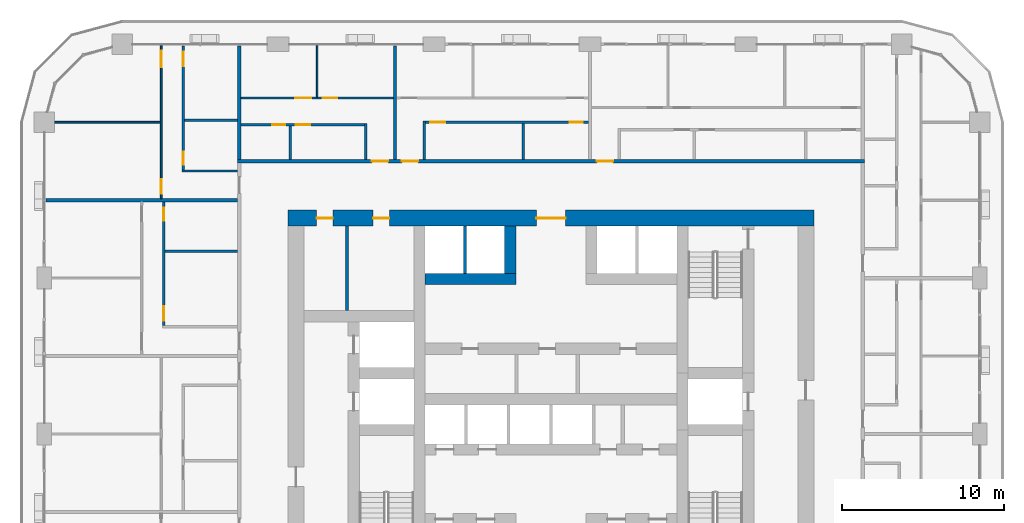
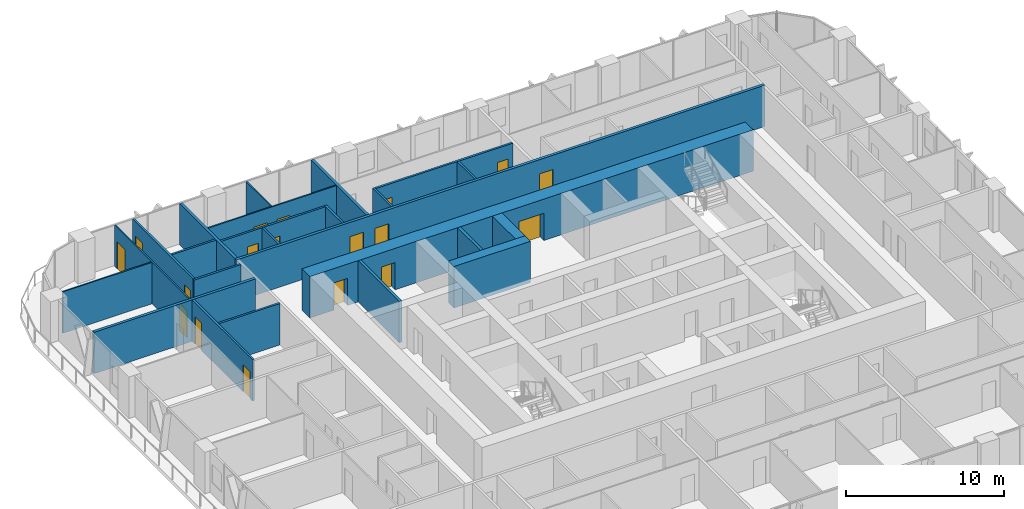
# One storey, part 13 of 21: 24 walls, 18 doors, 18 openings.
"""IFC4 building model written with IfcOpenShell, lengths in metres."""

import ifcopenshell
import ifcopenshell.guid

model = None  # the IFC model being written
_history = None  # IfcOwnerHistory: only IFC2X3 demands one
_inside = {}  # id of a spatial element -> (the spatial element, [elements in it])
_under = {}  # id of a project, library or spatial element -> (it, [spatial elements below it])
_declared = {}  # id of a project -> (the project, [libraries it declares])
_typed = {}  # id of a type object -> (the type object, [elements of that type])
_made_of = {}  # id of a material, layer set ... -> (it, [elements and type objects made of it])


def new_model(schema):
    """Start an empty IFC model of exactly this schema.

    Asked for "IFC4X3", IfcOpenShell would pick the latest addendum, in which some entities
    have other attributes; the version numbers below select the first issue.
    IFC2X3 requires an IfcOwnerHistory on every rooted entity: one is made here for all.
    """
    global model, _history
    if schema == "IFC4X3":
        model = ifcopenshell.file(schema_version=(4, 3, 0, 0))
    else:
        model = ifcopenshell.file(schema=schema)
    _inside.clear()
    _under.clear()
    _declared.clear()
    _typed.clear()
    _made_of.clear()
    _history = None
    if model.schema == "IFC2X3":
        org = make("IfcOrganization", Name="unknown")
        user = make(
            "IfcPersonAndOrganization",
            ThePerson=make("IfcPerson", FamilyName="unknown"),
            TheOrganization=org,
        )
        app = make(
            "IfcApplication",
            ApplicationDeveloper=org,
            Version="unknown",
            ApplicationFullName="unknown",
            ApplicationIdentifier="unknown",
        )
        _history = make(
            "IfcOwnerHistory",
            OwningUser=user,
            OwningApplication=app,
            ChangeAction="ADDED",
            CreationDate=0,
        )
    return model


def make(cls, **values):
    """One entity of the class cls with the attributes given. An attribute that is None is left unset."""
    return model.create_entity(
        cls, **{name: value for name, value in values.items() if value is not None}
    )


def rooted(cls, **values):
    """An entity with a GlobalId (a new one), such as an element, a storey or a relation."""
    return make(cls, GlobalId=ifcopenshell.guid.new(), OwnerHistory=_history, **values)


def si_unit(unit_type, name, prefix=None):
    """IfcSIUnit, for example si_unit("LENGTHUNIT", "METRE", prefix="MILLI")."""
    return make("IfcSIUnit", UnitType=unit_type, Prefix=prefix, Name=name)


def assignment(units):
    """IfcUnitAssignment: the units of a project."""
    return None if units is None else make("IfcUnitAssignment", Units=units)


def point(xyz):
    """IfcCartesianPoint."""
    return None if xyz is None else make("IfcCartesianPoint", Coordinates=xyz)


def direction(xyz):
    """IfcDirection."""
    return None if xyz is None else make("IfcDirection", DirectionRatios=xyz)


def frame(location, z_axis=None, x_axis=None):
    """IfcAxis2Placement3D, a coordinate frame: its origin and axes. An axis left out is left unset."""
    return make(
        "IfcAxis2Placement3D",
        Location=point(location),
        Axis=direction(z_axis),
        RefDirection=direction(x_axis),
    )


def frame_2d(location, x_axis=None):
    """IfcAxis2Placement2D, a coordinate frame in the plane: its origin and x axis."""
    return make(
        "IfcAxis2Placement2D", Location=point(location), RefDirection=direction(x_axis)
    )


def origin():
    """The frame at (0, 0, 0) with its axes left unset."""
    return frame((0.0, 0.0, 0.0))


def place(relative_to, where):
    """IfcLocalPlacement: puts the frame where relative to a parent placement (None: the world)."""
    return make(
        "IfcLocalPlacement", PlacementRelTo=relative_to, RelativePlacement=where
    )


def context(
    kind, dimensions, precision=None, world=None, true_north=None, identifier=None
):
    """IfcGeometricRepresentationContext, for example the 3D "Model" context."""
    return make(
        "IfcGeometricRepresentationContext",
        ContextIdentifier=identifier,
        ContextType=kind,
        CoordinateSpaceDimension=dimensions,
        Precision=precision,
        WorldCoordinateSystem=world,
        TrueNorth=true_north,
    )


def subcontext(parent, identifier, kind, view, scale=None):
    """IfcGeometricRepresentationSubContext, for example "Body" below "Model"."""
    return make(
        "IfcGeometricRepresentationSubContext",
        ContextIdentifier=identifier,
        ContextType=kind,
        ParentContext=parent,
        TargetScale=scale,
        TargetView=view,
    )


def project(units=None, contexts=None):
    """IfcProject with its units and contexts."""
    return rooted(
        "IfcProject",
        Name="project",
        RepresentationContexts=contexts,
        UnitsInContext=assignment(units),
    )


def spatial(cls, under=None, at=None, **own):
    """A site, building, storey or space (cls), placed at a placement, below another one or the project."""
    s = rooted(cls, ObjectPlacement=at, **own)
    if under is not None:
        _under.setdefault(under.id(), (under, []))[1].append(s)
    return s


def profile(cls, at=None, kind="AREA", **sizes):
    """A parametric profile (cls). Its sizes go by their IFC names, for example OverallWidth=200.0."""
    return make(cls, ProfileType=kind, Position=at, **sizes)


def rectangle(**sizes):
    """IfcRectangleProfileDef."""
    return profile("IfcRectangleProfileDef", **sizes)


def extrude(swept, where, along, depth):
    """IfcExtrudedAreaSolid: the profile swept, set in the frame where, extruded along a direction by depth."""
    return make(
        "IfcExtrudedAreaSolid",
        SweptArea=swept,
        Position=where,
        ExtrudedDirection=direction(along),
        Depth=depth,
    )


def shape(context_of_items, identifier, shape_type, items):
    """IfcShapeRepresentation: the items that make up one representation, for example the "Body"."""
    return make(
        "IfcShapeRepresentation",
        ContextOfItems=context_of_items,
        RepresentationIdentifier=identifier,
        RepresentationType=shape_type,
        Items=items,
    )


def material(Name=None, Category=None):
    """IfcMaterial."""
    return make("IfcMaterial", Name=Name, Category=Category)


def layer(
    of_material, thickness, ventilated=None, Name=None, Category=None, Priority=None
):
    """IfcMaterialLayer: one layer of a wall or slab, of a material (None: an air gap)."""
    return make(
        "IfcMaterialLayer",
        Material=of_material,
        LayerThickness=thickness,
        IsVentilated=ventilated,
        Name=Name,
        Category=Category,
        Priority=Priority,
    )


def layer_set(layers, Name=None):
    """IfcMaterialLayerSet."""
    return make("IfcMaterialLayerSet", MaterialLayers=layers, LayerSetName=Name)


def made_of(thing, what):
    """Note that an element or type object is made of a material, layer set ...; save() writes the relation."""
    if what is not None:
        _made_of.setdefault(what.id(), (what, []))[1].append(thing)
    return thing


def type_object(cls, material=None, **own):
    """A type object (cls), such as IfcWallType, which elements share."""
    return made_of(rooted(cls, **own), material)


def element(
    cls,
    number,
    at=None,
    inside=None,
    cuts=None,
    type_object=None,
    material=None,
    context=None,
    identifier="Body",
    shape_type=None,
    held_by="IfcProductDefinitionShape",
    body=None,
    shapes=None,
    **own,
):
    """One element of the class cls, such as IfcWall. Its Tag is "e" and its number.

    at: its placement. inside: the storey or other place that contains it. cuts: it is an
    opening in that element (IfcRelVoidsElement). A single representation is given by context,
    identifier, shape_type and body (its items); several are given by shapes. held_by: the class
    of the entity that holds the representations. save() writes the other relations.
    """
    e = rooted(cls, Tag="e%d" % number, ObjectPlacement=at, **own)
    if body is not None:
        shapes = [shape(context, identifier, shape_type, body)]
    if shapes is not None:
        e.Representation = make(held_by, Representations=shapes)
    if inside is not None:
        _inside.setdefault(inside.id(), (inside, []))[1].append(e)
    if cuts is not None:
        rooted(
            "IfcRelVoidsElement", RelatingBuildingElement=cuts, RelatedOpeningElement=e
        )
    if type_object is not None:
        _typed.setdefault(type_object.id(), (type_object, []))[1].append(e)
    return made_of(e, material)


def fill(opening, filler):
    """IfcRelFillsElement: the door or window that sits in an opening."""
    return rooted(
        "IfcRelFillsElement",
        RelatingOpeningElement=opening,
        RelatedBuildingElement=filler,
    )


def aggregate(whole, parts):
    """IfcRelAggregates: a whole, such as a stair, and the parts it consists of."""
    return rooted("IfcRelAggregates", RelatingObject=whole, RelatedObjects=parts)


def save(model, path):
    """Write the relations noted so far, then the file.

    IfcRelAggregates (storeys below a building ...), IfcRelContainedInSpatialStructure (elements
    in a storey), IfcRelDefinesByType, IfcRelAssociatesMaterial and IfcRelDeclares: one each for
    every whole, place, type object, material and project.
    """
    for whole, parts in _under.values():
        aggregate(whole, parts)
    for where, things in _inside.values():
        rooted(
            "IfcRelContainedInSpatialStructure",
            RelatedElements=things,
            RelatingStructure=where,
        )
    for kind, things in _typed.values():
        rooted("IfcRelDefinesByType", RelatedObjects=things, RelatingType=kind)
    for what, things in _made_of.values():
        rooted("IfcRelAssociatesMaterial", RelatedObjects=things, RelatingMaterial=what)
    for by, libraries in _declared.values():
        rooted("IfcRelDeclares", RelatingContext=by, RelatedDefinitions=libraries)
    model.write(path)


model = new_model("IFC4")

# Units and contexts
model_context = context("Model", 3, precision=1e-05, world=origin(), true_north=direction((0.0, 1.0)))
body_context = subcontext(model_context, "Body", "Model", "MODEL_VIEW")
ifc_project = project(units=[si_unit("LENGTHUNIT", "METRE"), si_unit("AREAUNIT", "SQUARE_METRE"), si_unit("VOLUMEUNIT", "CUBIC_METRE"), si_unit("PLANEANGLEUNIT", "RADIAN"), si_unit("MASSUNIT", "GRAM", prefix="KILO")], contexts=[model_context])

# Site, building, storey
site_placement = place(None, origin())
site = spatial("IfcSite", under=ifc_project, at=site_placement, CompositionType="ELEMENT")
building_placement = place(site_placement, origin())
building = spatial("IfcBuilding", under=site, at=building_placement, Name="Madar Terraces", CompositionType="ELEMENT")
storey_placement = place(building_placement, frame((0.0, 0.0, 43.39990234375)))
storey = spatial("IfcBuildingStorey", under=building, at=storey_placement, Name="L10", CompositionType="ELEMENT", Elevation=43.39990234375)

# Walls
ifc_material_1 = material(Name="Concrete C80/95", Category="concrete")
ifc_layer_1 = layer(ifc_material_1, 0.699951171875)
ifc_layer_set_1 = layer_set([ifc_layer_1], Name="Concrete C80/95 (CIW1 RC wall 700)")
wall_type_1 = type_object("IfcWallType", Name="CIW1 RC wall 700", PredefinedType="SHEAR", material=ifc_layer_set_1)
wall_1_placement = place(storey_placement, frame((23.449951171875, 33.550048828125, 0.0), z_axis=(0.0, 0.0, 1.0), x_axis=(1.0, 0.0, 0.0)))
element("IfcWall", 1, at=wall_1_placement, inside=storey, type_object=wall_type_1, Name="CORE SHAFT WALL", PredefinedType="SHEAR", context=body_context, shape_type="SweptSolid", body=[
    extrude(rectangle(XDim=5.60009765625, YDim=0.699951171875, at=frame_2d((2.800048828125, 0.0))), origin(), (0.0, 0.0, 1.0), 3.2001953125),
])
wall_2_placement = place(storey_placement, frame((28.699951171875, 33.89990234375, 0.0), z_axis=(0.0, 0.0, 1.0), x_axis=(0.0, 1.0, 0.0)))
element("IfcWall", 2, at=wall_2_placement, inside=storey, type_object=wall_type_1, Name="CORE SHAFT WALL", PredefinedType="SHEAR", context=body_context, shape_type="SweptSolid", body=[
    extrude(rectangle(XDim=2.900146484375, YDim=0.699951171875, at=frame_2d((1.4501953125, 0.0))), origin(), (0.0, 0.0, 1.0), 3.2001953125),
])

# Wall, openings, doors
ifc_material_2 = material(Name="Concrete C80/95", Category="concrete")
ifc_layer_2 = layer(ifc_material_2, 1.0)
ifc_layer_set_2 = layer_set([ifc_layer_2], Name="Concrete C80/95 (CRW1 RC wall 1000)")
wall_type_2 = type_object("IfcWallType", Name="CRW1 RC wall 1000", PredefinedType="SHEAR", material=ifc_layer_set_2)
wall_3_placement = place(storey_placement, frame((15.0, 37.300048828125, 0.0), z_axis=(0.0, 0.0, 1.0), x_axis=(1.0, 0.0, 0.0)))
wall_3 = element("IfcWall", 3, at=wall_3_placement, inside=storey, type_object=wall_type_2, Name="CORE OUTER WALL", PredefinedType="SHEAR", context=body_context, shape_type="SweptSolid", body=[
    extrude(rectangle(XDim=32.39990234375, YDim=1.0, at=frame_2d((16.199951171875, 0.0))), origin(), (0.0, 0.0, 1.0), 3.2001953125),
])
opening_1_placement = place(wall_3_placement, frame((15.300048828125, 0.0, 0.0)))
opening_1 = element("IfcOpeningElement", 4, at=opening_1_placement, cuts=wall_3, Name="Opening KD1", PredefinedType="OPENING", context=body_context, shape_type="SweptSolid", body=[
    extrude(rectangle(XDim=1.800048828125, YDim=2.10009765625, at=frame_2d((0.89990234375, 1.050048828125))), frame((0.0, 0.510009765625, 0.0), z_axis=(0.0, -1.0, 0.0), x_axis=(1.0, 0.0, 0.0)), (0.0, 0.0, 1.0), 1.02001953125),
])
opening_2_placement = place(wall_3_placement, frame((1.766357421875, 0.0, 0.0)))
opening_2 = element("IfcOpeningElement", 5, at=opening_2_placement, cuts=wall_3, Name="Opening KD2", PredefinedType="OPENING", context=body_context, shape_type="SweptSolid", body=[
    extrude(rectangle(XDim=1.0, YDim=2.10009765625, at=frame_2d((0.5, 1.050048828125))), frame((0.0, 0.510009765625, 0.0), z_axis=(0.0, -1.0, 0.0), x_axis=(1.0, 0.0, 0.0)), (0.0, 0.0, 1.0), 1.02001953125),
])
opening_3_placement = place(wall_3_placement, frame((5.2412109375, 0.0, 0.0)))
opening_3 = element("IfcOpeningElement", 6, at=opening_3_placement, cuts=wall_3, Name="Opening KD2", PredefinedType="OPENING", context=body_context, shape_type="SweptSolid", body=[
    extrude(rectangle(XDim=1.0, YDim=2.10009765625, at=frame_2d((0.5, 1.050048828125))), frame((0.0, 0.510009765625, 0.0), z_axis=(0.0, -1.0, 0.0), x_axis=(1.0, 0.0, 0.0)), (0.0, 0.0, 1.0), 1.02001953125),
])
ifc_material_3 = material(Name="Steel door leaf", Category="steel")
door_type_1 = type_object("IfcDoorType", Name="Lobby door pair 1800 x 2100", OperationType="DOUBLE_DOOR_SINGLE_SWING", PredefinedType="DOOR", material=ifc_material_3)
door_1_placement = place(opening_1_placement, origin())
door_1 = element("IfcDoor", 7, at=door_1_placement, inside=storey, type_object=door_type_1, Name="LIFT LOBBY DOOR", OperationType="DOUBLE_DOOR_SINGLE_SWING", OverallHeight=2.10009765625, OverallWidth=1.800048828125, PredefinedType="DOOR", context=body_context, shape_type="SweptSolid", body=[
    extrude(rectangle(XDim=1.800048828125, YDim=2.10009765625, at=frame_2d((0.89990234375, 1.050048828125))), frame((0.0, 0.02490234375, 0.0), z_axis=(0.0, -1.0, 0.0), x_axis=(1.0, 0.0, 0.0)), (0.0, 0.0, 1.0), 0.050048828125),
])
fill(opening_1, door_1)
ifc_material_4 = material(Name="Steel door leaf", Category="steel")
door_type_2 = type_object("IfcDoorType", Name="Service room door 1000 x 2100", OperationType="NOTDEFINED", PredefinedType="DOOR", material=ifc_material_4)
door_2_placement = place(opening_2_placement, origin())
door_2 = element("IfcDoor", 8, at=door_2_placement, inside=storey, type_object=door_type_2, Name="SERVICE ROOM DOOR", OperationType="SINGLE_SWING_LEFT", OverallHeight=2.10009765625, OverallWidth=1.0, PredefinedType="DOOR", context=body_context, shape_type="SweptSolid", body=[
    extrude(rectangle(XDim=1.0, YDim=2.10009765625, at=frame_2d((0.5, 1.050048828125))), frame((0.0, 0.02490234375, 0.0), z_axis=(0.0, -1.0, 0.0), x_axis=(1.0, 0.0, 0.0)), (0.0, 0.0, 1.0), 0.050048828125),
])
fill(opening_2, door_2)
door_3_placement = place(opening_3_placement, origin())
door_3 = element("IfcDoor", 9, at=door_3_placement, inside=storey, type_object=door_type_2, Name="SERVICE ROOM DOOR", OperationType="SINGLE_SWING_RIGHT", OverallHeight=2.10009765625, OverallWidth=1.0, PredefinedType="DOOR", context=body_context, shape_type="SweptSolid", body=[
    extrude(rectangle(XDim=1.0, YDim=2.10009765625, at=frame_2d((0.5, 1.050048828125))), frame((0.0, 0.02490234375, 0.0), z_axis=(0.0, -1.0, 0.0), x_axis=(1.0, 0.0, 0.0)), (0.0, 0.0, 1.0), 0.050048828125),
])
fill(opening_3, door_3)

# Walls
ifc_material_5 = material(Name="Masonry blockwork", Category="masonry")
ifc_layer_3 = layer(ifc_material_5, 0.199951171875)
ifc_layer_set_3 = layer_set([ifc_layer_3], Name="Core partition 200 blockwork")
wall_type_3 = type_object("IfcWallType", Name="Core partition 200 blockwork", PredefinedType="PARTITIONING", material=ifc_layer_set_3)
wall_4_placement = place(storey_placement, frame((18.632568359375, 31.60009765625, 0.0), z_axis=(0.0, 0.0, 1.0), x_axis=(0.0, 1.0, 0.0)))
element("IfcWall", 10, at=wall_4_placement, inside=storey, type_object=wall_type_3, Name="SERVICE ROOM PARTITION", PredefinedType="PARTITIONING", context=body_context, shape_type="SweptSolid", body=[
    extrude(rectangle(XDim=5.199951171875, YDim=0.199951171875, at=frame_2d((2.60009765625, 0.0))), origin(), (0.0, 0.0, 1.0), 3.2001953125),
])
ifc_material_6 = material(Name="Concrete C40/50", Category="concrete")
ifc_layer_4 = layer(ifc_material_6, 0.199951171875)
ifc_layer_set_4 = layer_set([ifc_layer_4], Name="Core shaft dividing wall 200 C40/50")
wall_type_4 = type_object("IfcWallType", Name="Core shaft dividing wall 200 C40/50", PredefinedType="SOLIDWALL", material=ifc_layer_set_4)
wall_5_placement = place(storey_placement, frame((25.89990234375, 33.89990234375, 0.0), z_axis=(0.0, 0.0, 1.0), x_axis=(0.0, 1.0, 0.0)))
element("IfcWall", 11, at=wall_5_placement, inside=storey, type_object=wall_type_4, Name="SHAFT DIVIDING WALL", PredefinedType="SOLIDWALL", context=body_context, shape_type="SweptSolid", body=[
    extrude(rectangle(XDim=2.900146484375, YDim=0.199951171875, at=frame_2d((1.4501953125, 0.0))), origin(), (0.0, 0.0, 1.0), 3.2001953125),
])
ifc_material_7 = material(Name="Gypsum board on steel studs", Category="steel")
ifc_layer_5 = layer(ifc_material_7, 0.10009765625)
ifc_layer_set_5 = layer_set([ifc_layer_5], Name="Flat partition 100")
wall_type_5 = type_object("IfcWallType", Name="Flat partition 100", PredefinedType="PARTITIONING", material=ifc_layer_set_5)
wall_6_placement = place(storey_placement, frame((16.800048828125, 44.75, 0.0), z_axis=(0.0, 0.0, 1.0), x_axis=(0.0, 1.0, 0.0)))
element("IfcWall", 12, at=wall_6_placement, inside=storey, type_object=wall_type_5, Name="Flat partition 100", PredefinedType="PARTITIONING", context=body_context, shape_type="SweptSolid", body=[
    extrude(rectangle(XDim=3.14990234375, YDim=0.10009765625, at=frame_2d((1.574951171875, 0.0))), origin(), (0.0, 0.0, 1.0), 3.2001953125),
])

# Wall, openings, doors
wall_7_placement = place(storey_placement, frame((12.10009765625, 44.699951171875, 0.0), z_axis=(0.0, 0.0, 1.0), x_axis=(1.0, 0.0, 0.0)))
wall_7 = element("IfcWall", 13, at=wall_7_placement, inside=storey, type_object=wall_type_5, Name="Flat partition 100", PredefinedType="PARTITIONING", context=body_context, shape_type="SweptSolid", body=[
    extrude(rectangle(XDim=9.39990234375, YDim=0.10009765625, at=frame_2d((4.699951171875, 0.0))), origin(), (0.0, 0.0, 1.0), 3.2001953125),
])
opening_4_placement = place(wall_7_placement, frame((5.050048828125, 0.0, 0.0)))
opening_4 = element("IfcOpeningElement", 14, at=opening_4_placement, cuts=wall_7, Name="Opening D2", PredefinedType="OPENING", context=body_context, shape_type="SweptSolid", body=[
    extrude(rectangle(XDim=0.89990234375, YDim=2.10009765625, at=frame_2d((0.449951171875, 1.050048828125))), frame((0.0, 0.06005859375, 0.0), z_axis=(0.0, -1.0, 0.0), x_axis=(1.0, 0.0, 0.0)), (0.0, 0.0, 1.0), 0.1201171875),
])
opening_5_placement = place(wall_7_placement, frame((3.35009765625, 0.0, 0.0)))
opening_5 = element("IfcOpeningElement", 15, at=opening_5_placement, cuts=wall_7, Name="Opening D3", PredefinedType="OPENING", context=body_context, shape_type="SweptSolid", body=[
    extrude(rectangle(XDim=1.0, YDim=2.10009765625, at=frame_2d((0.5, 1.050048828125))), frame((0.0, 0.06005859375, 0.0), z_axis=(0.0, -1.0, 0.0), x_axis=(1.0, 0.0, 0.0)), (0.0, 0.0, 1.0), 0.1201171875),
])
ifc_material_8 = material(Name="Timber door leaf", Category="wood")
door_type_3 = type_object("IfcDoorType", Name="Flat living room door 1000", OperationType="NOTDEFINED", PredefinedType="DOOR", material=ifc_material_8)
door_4_placement = place(opening_5_placement, origin())
door_4 = element("IfcDoor", 16, at=door_4_placement, inside=storey, type_object=door_type_3, Name="Flat living room door 1000", OperationType="SINGLE_SWING_RIGHT", OverallHeight=2.10009765625, OverallWidth=1.0, PredefinedType="DOOR", context=body_context, shape_type="SweptSolid", body=[
    extrude(rectangle(XDim=1.0, YDim=2.10009765625, at=frame_2d((0.5, 1.050048828125))), frame((0.0, 0.02490234375, 0.0), z_axis=(0.0, -1.0, 0.0), x_axis=(1.0, 0.0, 0.0)), (0.0, 0.0, 1.0), 0.050048828125),
])
fill(opening_5, door_4)
ifc_material_9 = material(Name="Timber door leaf", Category="wood")
door_type_4 = type_object("IfcDoorType", Name="Flat room door 900", OperationType="NOTDEFINED", PredefinedType="DOOR", material=ifc_material_9)
door_5_placement = place(opening_4_placement, origin())
door_5 = element("IfcDoor", 17, at=door_5_placement, inside=storey, type_object=door_type_4, Name="Flat room door 900", OperationType="SINGLE_SWING_LEFT", OverallHeight=2.10009765625, OverallWidth=0.89990234375, PredefinedType="DOOR", context=body_context, shape_type="SweptSolid", body=[
    extrude(rectangle(XDim=0.89990234375, YDim=2.10009765625, at=frame_2d((0.449951171875, 1.050048828125))), frame((0.0, 0.02490234375, 0.0), z_axis=(0.0, -1.0, 0.0), x_axis=(1.0, 0.0, 0.0)), (0.0, 0.0, 1.0), 0.050048828125),
])
fill(opening_4, door_5)

# Wall
wall_8_placement = place(storey_placement, frame((7.14990234375, 43.199951171875, 0.0), z_axis=(0.0, 0.0, 1.0), x_axis=(-1.0, 0.0, 0.0)))
element("IfcWall", 18, at=wall_8_placement, inside=storey, type_object=wall_type_5, Name="Flat partition 100", PredefinedType="PARTITIONING", context=body_context, shape_type="SweptSolid", body=[
    extrude(rectangle(XDim=6.52490234375, YDim=0.10009765625, at=frame_2d((3.262451171875, 0.0))), origin(), (0.0, 0.0, 1.0), 3.2001953125),
])

# Wall, openings, doors
wall_9_placement = place(storey_placement, frame((7.199951171875, 38.5, 0.0), z_axis=(0.0, 0.0, 1.0), x_axis=(0.0, 1.0, 0.0)))
wall_9 = element("IfcWall", 19, at=wall_9_placement, inside=storey, type_object=wall_type_5, Name="Flat partition 100", PredefinedType="PARTITIONING", context=body_context, shape_type="SweptSolid", body=[
    extrude(rectangle(XDim=9.39990234375, YDim=0.10009765625, at=frame_2d((4.699951171875, 0.0))), origin(), (0.0, 0.0, 1.0), 3.2001953125),
])
opening_6_placement = place(wall_9_placement, frame((0.300048828125, 0.0, 0.0)))
opening_6 = element("IfcOpeningElement", 20, at=opening_6_placement, cuts=wall_9, Name="Opening D2", PredefinedType="OPENING", context=body_context, shape_type="SweptSolid", body=[
    extrude(rectangle(XDim=0.89990234375, YDim=2.10009765625, at=frame_2d((0.449951171875, 1.050048828125))), frame((0.0, 0.06005859375, 0.0), z_axis=(0.0, -1.0, 0.0), x_axis=(1.0, 0.0, 0.0)), (0.0, 0.0, 1.0), 0.1201171875),
])
opening_7_placement = place(wall_9_placement, frame((8.10009765625, 0.0, 0.0)))
opening_7 = element("IfcOpeningElement", 21, at=opening_7_placement, cuts=wall_9, Name="Opening D3", PredefinedType="OPENING", context=body_context, shape_type="SweptSolid", body=[
    extrude(rectangle(XDim=1.0, YDim=2.10009765625, at=frame_2d((0.5, 1.050048828125))), frame((0.0, 0.06005859375, 0.0), z_axis=(0.0, -1.0, 0.0), x_axis=(1.0, 0.0, 0.0)), (0.0, 0.0, 1.0), 0.1201171875),
])
door_6_placement = place(opening_7_placement, origin())
door_6 = element("IfcDoor", 22, at=door_6_placement, inside=storey, type_object=door_type_3, Name="Flat living room door 1000", OperationType="SINGLE_SWING_RIGHT", OverallHeight=2.10009765625, OverallWidth=1.0, PredefinedType="DOOR", context=body_context, shape_type="SweptSolid", body=[
    extrude(rectangle(XDim=1.0, YDim=2.10009765625, at=frame_2d((0.5, 1.050048828125))), frame((0.0, 0.02490234375, 0.0), z_axis=(0.0, -1.0, 0.0), x_axis=(1.0, 0.0, 0.0)), (0.0, 0.0, 1.0), 0.050048828125),
])
fill(opening_7, door_6)
door_7_placement = place(opening_6_placement, origin())
door_7 = element("IfcDoor", 23, at=door_7_placement, inside=storey, type_object=door_type_4, Name="Flat room door 900", OperationType="SINGLE_SWING_LEFT", OverallHeight=2.10009765625, OverallWidth=0.89990234375, PredefinedType="DOOR", context=body_context, shape_type="SweptSolid", body=[
    extrude(rectangle(XDim=0.89990234375, YDim=2.10009765625, at=frame_2d((0.449951171875, 1.050048828125))), frame((0.0, 0.02490234375, 0.0), z_axis=(0.0, -1.0, 0.0), x_axis=(1.0, 0.0, 0.0)), (0.0, 0.0, 1.0), 0.050048828125),
])
fill(opening_6, door_7)

ifc_material_10 = material(Name="Lightweight blockwork", Category="masonry")
ifc_layer_6 = layer(ifc_material_10, 0.199951171875)
ifc_layer_set_6 = layer_set([ifc_layer_6], Name="Flat party and entrance wall 200")
wall_type_6 = type_object("IfcWallType", Name="Flat party and entrance wall 200", PredefinedType="PARTITIONING", material=ifc_layer_set_6)
wall_10_placement = place(storey_placement, frame((11.89990234375, 40.800048828125, 0.0), z_axis=(0.0, 0.0, 1.0), x_axis=(1.0, 0.0, 0.0)))
wall_10 = element("IfcWall", 24, at=wall_10_placement, inside=storey, type_object=wall_type_6, Name="Flat party and entrance wall 200", PredefinedType="PARTITIONING", context=body_context, shape_type="SweptSolid", body=[
    extrude(rectangle(XDim=38.60009765625, YDim=0.199951171875, at=frame_2d((19.300048828125, 0.0))), origin(), (0.0, 0.0, 1.0), 3.2001953125),
])
opening_8_placement = place(wall_10_placement, frame((22.125, 0.0, 0.0)))
opening_8 = element("IfcOpeningElement", 25, at=opening_8_placement, cuts=wall_10, Name="Opening D1", PredefinedType="OPENING", context=body_context, shape_type="SweptSolid", body=[
    extrude(rectangle(XDim=1.0, YDim=2.10009765625, at=frame_2d((0.5, 1.050048828125))), frame((0.0, 0.10986328125, 0.0), z_axis=(0.0, -1.0, 0.0), x_axis=(1.0, 0.0, 0.0)), (0.0, 0.0, 1.0), 0.219970703125),
])
opening_9_placement = place(wall_10_placement, frame((10.125, 0.0, 0.0)))
opening_9 = element("IfcOpeningElement", 26, at=opening_9_placement, cuts=wall_10, Name="Opening D1", PredefinedType="OPENING", context=body_context, shape_type="SweptSolid", body=[
    extrude(rectangle(XDim=1.0, YDim=2.10009765625, at=frame_2d((0.5, 1.050048828125))), frame((0.0, 0.10986328125, 0.0), z_axis=(0.0, -1.0, 0.0), x_axis=(1.0, 0.0, 0.0)), (0.0, 0.0, 1.0), 0.219970703125),
])
opening_10_placement = place(wall_10_placement, frame((8.27490234375, 0.0, 0.0)))
opening_10 = element("IfcOpeningElement", 27, at=opening_10_placement, cuts=wall_10, Name="Opening D1", PredefinedType="OPENING", context=body_context, shape_type="SweptSolid", body=[
    extrude(rectangle(XDim=1.0, YDim=2.10009765625, at=frame_2d((0.5, 1.050048828125))), frame((0.0, 0.10986328125, 0.0), z_axis=(0.0, -1.0, 0.0), x_axis=(1.0, 0.0, 0.0)), (0.0, 0.0, 1.0), 0.219970703125),
])
ifc_material_11 = material(Name="Timber fire door leaf", Category="wood")
door_type_5 = type_object("IfcDoorType", Name="Flat entrance door 1000 FD30S", OperationType="NOTDEFINED", PredefinedType="DOOR", material=ifc_material_11)
door_8_placement = place(opening_8_placement, origin())
door_8 = element("IfcDoor", 28, at=door_8_placement, inside=storey, type_object=door_type_5, Name="Flat entrance door 1000 FD30S", OperationType="SINGLE_SWING_LEFT", OverallHeight=2.10009765625, OverallWidth=1.0, PredefinedType="DOOR", context=body_context, shape_type="SweptSolid", body=[
    extrude(rectangle(XDim=1.0, YDim=2.10009765625, at=frame_2d((0.5, 1.050048828125))), frame((0.0, 0.02490234375, 0.0), z_axis=(0.0, -1.0, 0.0), x_axis=(1.0, 0.0, 0.0)), (0.0, 0.0, 1.0), 0.050048828125),
])
fill(opening_8, door_8)
door_9_placement = place(opening_9_placement, origin())
door_9 = element("IfcDoor", 29, at=door_9_placement, inside=storey, type_object=door_type_5, Name="Flat entrance door 1000 FD30S", OperationType="SINGLE_SWING_LEFT", OverallHeight=2.10009765625, OverallWidth=1.0, PredefinedType="DOOR", context=body_context, shape_type="SweptSolid", body=[
    extrude(rectangle(XDim=1.0, YDim=2.10009765625, at=frame_2d((0.5, 1.050048828125))), frame((0.0, 0.02490234375, 0.0), z_axis=(0.0, -1.0, 0.0), x_axis=(1.0, 0.0, 0.0)), (0.0, 0.0, 1.0), 0.050048828125),
])
fill(opening_9, door_9)
door_10_placement = place(opening_10_placement, origin())
door_10 = element("IfcDoor", 30, at=door_10_placement, inside=storey, type_object=door_type_5, Name="Flat entrance door 1000 FD30S", OperationType="SINGLE_SWING_RIGHT", OverallHeight=2.10009765625, OverallWidth=1.0, PredefinedType="DOOR", context=body_context, shape_type="SweptSolid", body=[
    extrude(rectangle(XDim=1.0, YDim=2.10009765625, at=frame_2d((0.5, 1.050048828125))), frame((0.0, 0.02490234375, 0.0), z_axis=(0.0, -1.0, 0.0), x_axis=(1.0, 0.0, 0.0)), (0.0, 0.0, 1.0), 0.050048828125),
])
fill(opening_10, door_10)

# Walls
for number, where, z_axis, x_axis, name in (
    (31, (21.60009765625, 47.89990234375, 0.0), (0.0, 0.0, 1.0), (0.0, -1.0, 0.0), "Flat party and entrance wall 200"),
    (32, (12.0, 47.89990234375, 0.0), (0.0, 0.0, 1.0), (0.0, -1.0, 0.0), "Flat party and entrance wall 200"),
):
    element("IfcWall", number, at=place(storey_placement, frame(where, z_axis=z_axis, x_axis=x_axis)), inside=storey, type_object=wall_type_6, Name=name, PredefinedType="PARTITIONING", context=body_context, shape_type="SweptSolid", body=[
        extrude(rectangle(XDim=7.0, YDim=0.199951171875, at=frame_2d((3.5, 0.0))), origin(), (0.0, 0.0, 1.0), 3.2001953125),
    ])
wall_11_placement = place(storey_placement, frame((0.10009765625, 38.39990234375, 0.0), z_axis=(0.0, 0.0, 1.0), x_axis=(1.0, 0.0, 0.0)))
element("IfcWall", 33, at=wall_11_placement, inside=storey, type_object=wall_type_6, Name="Flat party and entrance wall 200", PredefinedType="PARTITIONING", context=body_context, shape_type="SweptSolid", body=[
    extrude(rectangle(XDim=11.7998046875, YDim=0.199951171875, at=frame_2d((5.89990234375, 0.0))), origin(), (0.0, 0.0, 1.0), 3.2001953125),
])
ifc_material_12 = material(Name="Lightweight blockwork", Category="masonry")
ifc_layer_7 = layer(ifc_material_12, 0.14990234375)
ifc_layer_set_7 = layer_set([ifc_layer_7], Name="Flat wet-room partition 150")
wall_type_7 = type_object("IfcWallType", Name="Flat wet-room partition 150", PredefinedType="PARTITIONING", material=ifc_layer_set_7)
wall_12_placement = place(storey_placement, frame((29.489990234375, 40.89990234375, 0.0), z_axis=(0.0, 0.0, 1.0), x_axis=(0.0, 1.0, 0.0)))
element("IfcWall", 34, at=wall_12_placement, inside=storey, type_object=wall_type_7, Name="Flat wet-room partition 150", PredefinedType="PARTITIONING", context=body_context, shape_type="SweptSolid", body=[
    extrude(rectangle(XDim=2.22509765625, YDim=0.14990234375, at=frame_2d((1.112548828125, 0.0))), origin(), (0.0, 0.0, 1.0), 3.2001953125),
])
wall_13_placement = place(storey_placement, frame((23.39990234375, 40.89990234375, 0.0), z_axis=(0.0, 0.0, 1.0), x_axis=(0.0, 1.0, 0.0)))
element("IfcWall", 35, at=wall_13_placement, inside=storey, type_object=wall_type_7, Name="Flat wet-room partition 150", PredefinedType="PARTITIONING", context=body_context, shape_type="SweptSolid", body=[
    extrude(rectangle(XDim=2.375, YDim=0.14990234375, at=frame_2d((1.1875, 0.0))), origin(), (0.0, 0.0, 1.0), 3.2001953125),
])

# Wall, openings, doors
wall_14_placement = place(storey_placement, frame((33.5, 43.199951171875, 0.0), z_axis=(0.0, 0.0, 1.0), x_axis=(-1.0, 0.0, 0.0)))
wall_14 = element("IfcWall", 36, at=wall_14_placement, inside=storey, type_object=wall_type_7, Name="Flat wet-room partition 150", PredefinedType="PARTITIONING", context=body_context, shape_type="SweptSolid", body=[
    extrude(rectangle(XDim=10.02490234375, YDim=0.14990234375, at=frame_2d((5.012451171875, 0.0))), origin(), (0.0, 0.0, 1.0), 3.2001953125),
])
opening_11_placement = place(wall_14_placement, frame((8.824951171875, 0.0, 0.0)))
opening_11 = element("IfcOpeningElement", 37, at=opening_11_placement, cuts=wall_14, Name="Opening D2", PredefinedType="OPENING", context=body_context, shape_type="SweptSolid", body=[
    extrude(rectangle(XDim=0.89990234375, YDim=2.10009765625, at=frame_2d((0.449951171875, 1.050048828125))), frame((0.0, 0.0849609375, 0.0), z_axis=(0.0, -1.0, 0.0), x_axis=(1.0, 0.0, 0.0)), (0.0, 0.0, 1.0), 0.169921875),
])
opening_12_placement = place(wall_14_placement, frame((0.35009765625, 0.0, 0.0)))
opening_12 = element("IfcOpeningElement", 38, at=opening_12_placement, cuts=wall_14, Name="Opening D4", PredefinedType="OPENING", context=body_context, shape_type="SweptSolid", body=[
    extrude(rectangle(XDim=0.800048828125, YDim=2.10009765625, at=frame_2d((0.39990234375, 1.050048828125))), frame((0.0, 0.0849609375, 0.0), z_axis=(0.0, -1.0, 0.0), x_axis=(1.0, 0.0, 0.0)), (0.0, 0.0, 1.0), 0.169921875),
])
ifc_material_13 = material(Name="Timber door leaf", Category="wood")
door_type_6 = type_object("IfcDoorType", Name="Flat bathroom door 800", OperationType="NOTDEFINED", PredefinedType="DOOR", material=ifc_material_13)
door_11_placement = place(opening_12_placement, origin())
door_11 = element("IfcDoor", 39, at=door_11_placement, inside=storey, type_object=door_type_6, Name="Flat bathroom door 800", OperationType="SINGLE_SWING_LEFT", OverallHeight=2.10009765625, OverallWidth=0.800048828125, PredefinedType="DOOR", context=body_context, shape_type="SweptSolid", body=[
    extrude(rectangle(XDim=0.800048828125, YDim=2.10009765625, at=frame_2d((0.39990234375, 1.050048828125))), frame((0.0, 0.02490234375, 0.0), z_axis=(0.0, -1.0, 0.0), x_axis=(1.0, 0.0, 0.0)), (0.0, 0.0, 1.0), 0.050048828125),
])
fill(opening_12, door_11)
door_12_placement = place(opening_11_placement, origin())
door_12 = element("IfcDoor", 40, at=door_12_placement, inside=storey, type_object=door_type_4, Name="Flat room door 900", OperationType="SINGLE_SWING_RIGHT", OverallHeight=2.10009765625, OverallWidth=0.89990234375, PredefinedType="DOOR", context=body_context, shape_type="SweptSolid", body=[
    extrude(rectangle(XDim=0.89990234375, YDim=2.10009765625, at=frame_2d((0.449951171875, 1.050048828125))), frame((0.0, 0.02490234375, 0.0), z_axis=(0.0, -1.0, 0.0), x_axis=(1.0, 0.0, 0.0)), (0.0, 0.0, 1.0), 0.050048828125),
])
fill(opening_11, door_12)

# Walls
wall_15_placement = place(storey_placement, frame((15.14990234375, 40.89990234375, 0.0), z_axis=(0.0, 0.0, 1.0), x_axis=(0.0, 1.0, 0.0)))
element("IfcWall", 41, at=wall_15_placement, inside=storey, type_object=wall_type_7, Name="Flat wet-room partition 150", PredefinedType="PARTITIONING", context=body_context, shape_type="SweptSolid", body=[
    extrude(rectangle(XDim=2.0751953125, YDim=0.14990234375, at=frame_2d((1.03759765625, 0.0))), origin(), (0.0, 0.0, 1.0), 3.2001953125),
])
wall_16_placement = place(storey_placement, frame((19.800048828125, 40.89990234375, 0.0), z_axis=(0.0, 0.0, 1.0), x_axis=(0.0, 1.0, 0.0)))
element("IfcWall", 42, at=wall_16_placement, inside=storey, type_object=wall_type_7, Name="Flat wet-room partition 150", PredefinedType="PARTITIONING", context=body_context, shape_type="SweptSolid", body=[
    extrude(rectangle(XDim=2.22509765625, YDim=0.14990234375, at=frame_2d((1.112548828125, 0.0))), origin(), (0.0, 0.0, 1.0), 3.2001953125),
])

# Wall, openings, doors
wall_17_placement = place(storey_placement, frame((19.72509765625, 43.050048828125, 0.0), z_axis=(0.0, 0.0, 1.0), x_axis=(-1.0, 0.0, 0.0)))
wall_17 = element("IfcWall", 43, at=wall_17_placement, inside=storey, type_object=wall_type_7, Name="Flat wet-room partition 150", PredefinedType="PARTITIONING", context=body_context, shape_type="SweptSolid", body=[
    extrude(rectangle(XDim=7.625, YDim=0.14990234375, at=frame_2d((3.8125, 0.0))), origin(), (0.0, 0.0, 1.0), 3.2001953125),
])
opening_13_placement = place(wall_17_placement, frame((3.35009765625, 0.0, 0.0)))
opening_13 = element("IfcOpeningElement", 44, at=opening_13_placement, cuts=wall_17, Name="Opening D2", PredefinedType="OPENING", context=body_context, shape_type="SweptSolid", body=[
    extrude(rectangle(XDim=0.89990234375, YDim=2.10009765625, at=frame_2d((0.449951171875, 1.050048828125))), frame((0.0, 0.0849609375, 0.0), z_axis=(0.0, -1.0, 0.0), x_axis=(1.0, 0.0, 0.0)), (0.0, 0.0, 1.0), 0.169921875),
])
opening_14_placement = place(wall_17_placement, frame((4.89990234375, 0.0, 0.0)))
opening_14 = element("IfcOpeningElement", 45, at=opening_14_placement, cuts=wall_17, Name="Opening D4", PredefinedType="OPENING", context=body_context, shape_type="SweptSolid", body=[
    extrude(rectangle(XDim=0.800048828125, YDim=2.10009765625, at=frame_2d((0.39990234375, 1.050048828125))), frame((0.0, 0.0849609375, 0.0), z_axis=(0.0, -1.0, 0.0), x_axis=(1.0, 0.0, 0.0)), (0.0, 0.0, 1.0), 0.169921875),
])
door_13_placement = place(opening_14_placement, origin())
door_13 = element("IfcDoor", 46, at=door_13_placement, inside=storey, type_object=door_type_6, Name="Flat bathroom door 800", OperationType="SINGLE_SWING_LEFT", OverallHeight=2.10009765625, OverallWidth=0.800048828125, PredefinedType="DOOR", context=body_context, shape_type="SweptSolid", body=[
    extrude(rectangle(XDim=0.800048828125, YDim=2.10009765625, at=frame_2d((0.39990234375, 1.050048828125))), frame((0.0, 0.02490234375, 0.0), z_axis=(0.0, -1.0, 0.0), x_axis=(1.0, 0.0, 0.0)), (0.0, 0.0, 1.0), 0.050048828125),
])
fill(opening_14, door_13)
door_14_placement = place(opening_13_placement, origin())
door_14 = element("IfcDoor", 47, at=door_14_placement, inside=storey, type_object=door_type_4, Name="Flat room door 900", OperationType="SINGLE_SWING_RIGHT", OverallHeight=2.10009765625, OverallWidth=0.89990234375, PredefinedType="DOOR", context=body_context, shape_type="SweptSolid", body=[
    extrude(rectangle(XDim=0.89990234375, YDim=2.10009765625, at=frame_2d((0.449951171875, 1.050048828125))), frame((0.0, 0.02490234375, 0.0), z_axis=(0.0, -1.0, 0.0), x_axis=(1.0, 0.0, 0.0)), (0.0, 0.0, 1.0), 0.050048828125),
])
fill(opening_13, door_14)

# Walls
wall_18_placement = place(storey_placement, frame((11.89990234375, 43.324951171875, 0.0), z_axis=(0.0, 0.0, 1.0), x_axis=(-1.0, 0.0, 0.0)))
element("IfcWall", 48, at=wall_18_placement, inside=storey, type_object=wall_type_7, Name="Flat wet-room partition 150", PredefinedType="PARTITIONING", context=body_context, shape_type="SweptSolid", body=[
    extrude(rectangle(XDim=3.27490234375, YDim=0.14990234375, at=frame_2d((1.637451171875, 0.0))), origin(), (0.0, 0.0, 1.0), 3.2001953125),
])
wall_19_placement = place(storey_placement, frame((11.89990234375, 40.199951171875, 0.0), z_axis=(0.0, 0.0, 1.0), x_axis=(-1.0, 0.0, 0.0)))
element("IfcWall", 49, at=wall_19_placement, inside=storey, type_object=wall_type_7, Name="Flat wet-room partition 150", PredefinedType="PARTITIONING", context=body_context, shape_type="SweptSolid", body=[
    extrude(rectangle(XDim=3.4248046875, YDim=0.14990234375, at=frame_2d((1.71240234375, 0.0))), origin(), (0.0, 0.0, 1.0), 3.2001953125),
])

# Wall, openings, doors
wall_20_placement = place(storey_placement, frame((8.550048828125, 47.89990234375, 0.0), z_axis=(0.0, 0.0, 1.0), x_axis=(0.0, -1.0, 0.0)))
wall_20 = element("IfcWall", 50, at=wall_20_placement, inside=storey, type_object=wall_type_7, Name="Flat wet-room partition 150", PredefinedType="PARTITIONING", context=body_context, shape_type="SweptSolid", body=[
    extrude(rectangle(XDim=7.625, YDim=0.14990234375, at=frame_2d((3.8125, 0.0))), origin(), (0.0, 0.0, 1.0), 3.2001953125),
])
opening_15_placement = place(wall_20_placement, frame((6.52490234375, 0.0, 0.0)))
opening_15 = element("IfcOpeningElement", 51, at=opening_15_placement, cuts=wall_20, Name="Opening D4", PredefinedType="OPENING", context=body_context, shape_type="SweptSolid", body=[
    extrude(rectangle(XDim=0.800048828125, YDim=2.10009765625, at=frame_2d((0.39990234375, 1.050048828125))), frame((0.0, 0.0849609375, 0.0), z_axis=(0.0, -1.0, 0.0), x_axis=(1.0, 0.0, 0.0)), (0.0, 0.0, 1.0), 0.169921875),
])
opening_16_placement = place(wall_20_placement, frame((0.35009765625, 0.0, 0.0)))
opening_16 = element("IfcOpeningElement", 52, at=opening_16_placement, cuts=wall_20, Name="Opening D2", PredefinedType="OPENING", context=body_context, shape_type="SweptSolid", body=[
    extrude(rectangle(XDim=0.89990234375, YDim=2.10009765625, at=frame_2d((0.449951171875, 1.050048828125))), frame((0.0, 0.0849609375, 0.0), z_axis=(0.0, -1.0, 0.0), x_axis=(1.0, 0.0, 0.0)), (0.0, 0.0, 1.0), 0.169921875),
])
door_15_placement = place(opening_15_placement, origin())
door_15 = element("IfcDoor", 53, at=door_15_placement, inside=storey, type_object=door_type_6, Name="Flat bathroom door 800", OperationType="SINGLE_SWING_RIGHT", OverallHeight=2.10009765625, OverallWidth=0.800048828125, PredefinedType="DOOR", context=body_context, shape_type="SweptSolid", body=[
    extrude(rectangle(XDim=0.800048828125, YDim=2.10009765625, at=frame_2d((0.39990234375, 1.050048828125))), frame((0.0, 0.02490234375, 0.0), z_axis=(0.0, -1.0, 0.0), x_axis=(1.0, 0.0, 0.0)), (0.0, 0.0, 1.0), 0.050048828125),
])
fill(opening_15, door_15)
door_16_placement = place(opening_16_placement, origin())
door_16 = element("IfcDoor", 54, at=door_16_placement, inside=storey, type_object=door_type_4, Name="Flat room door 900", OperationType="SINGLE_SWING_LEFT", OverallHeight=2.10009765625, OverallWidth=0.89990234375, PredefinedType="DOOR", context=body_context, shape_type="SweptSolid", body=[
    extrude(rectangle(XDim=0.89990234375, YDim=2.10009765625, at=frame_2d((0.449951171875, 1.050048828125))), frame((0.0, 0.02490234375, 0.0), z_axis=(0.0, -1.0, 0.0), x_axis=(1.0, 0.0, 0.0)), (0.0, 0.0, 1.0), 0.050048828125),
])
fill(opening_16, door_16)

# Wall
wall_21_placement = place(storey_placement, frame((11.89990234375, 35.25, 0.0), z_axis=(0.0, 0.0, 1.0), x_axis=(-1.0, 0.0, 0.0)))
element("IfcWall", 55, at=wall_21_placement, inside=storey, type_object=wall_type_7, Name="Flat wet-room partition 150", PredefinedType="PARTITIONING", context=body_context, shape_type="SweptSolid", body=[
    extrude(rectangle(XDim=4.474853515625, YDim=0.14990234375, at=frame_2d((2.2373046875, 0.0))), origin(), (0.0, 0.0, 1.0), 3.2001953125),
])

# Wall, openings, doors
wall_22_placement = place(storey_placement, frame((7.35009765625, 38.300048828125, 0.0), z_axis=(0.0, 0.0, 1.0), x_axis=(0.0, -1.0, 0.0)))
wall_22 = element("IfcWall", 56, at=wall_22_placement, inside=storey, type_object=wall_type_7, Name="Flat wet-room partition 150", PredefinedType="PARTITIONING", context=body_context, shape_type="SweptSolid", body=[
    extrude(rectangle(XDim=7.625, YDim=0.14990234375, at=frame_2d((3.8125, 0.0))), origin(), (0.0, 0.0, 1.0), 3.2001953125),
])
opening_17_placement = place(wall_22_placement, frame((6.425048828125, 0.0, 0.0)))
opening_17 = element("IfcOpeningElement", 57, at=opening_17_placement, cuts=wall_22, Name="Opening D2", PredefinedType="OPENING", context=body_context, shape_type="SweptSolid", body=[
    extrude(rectangle(XDim=0.89990234375, YDim=2.10009765625, at=frame_2d((0.449951171875, 1.050048828125))), frame((0.0, 0.0849609375, 0.0), z_axis=(0.0, -1.0, 0.0), x_axis=(1.0, 0.0, 0.0)), (0.0, 0.0, 1.0), 0.169921875),
])
opening_18_placement = place(wall_22_placement, frame((0.35009765625, 0.0, 0.0)))
opening_18 = element("IfcOpeningElement", 58, at=opening_18_placement, cuts=wall_22, Name="Opening D4", PredefinedType="OPENING", context=body_context, shape_type="SweptSolid", body=[
    extrude(rectangle(XDim=0.800048828125, YDim=2.10009765625, at=frame_2d((0.39990234375, 1.050048828125))), frame((0.0, 0.0849609375, 0.0), z_axis=(0.0, -1.0, 0.0), x_axis=(1.0, 0.0, 0.0)), (0.0, 0.0, 1.0), 0.169921875),
])
door_17_placement = place(opening_18_placement, origin())
door_17 = element("IfcDoor", 59, at=door_17_placement, inside=storey, type_object=door_type_6, Name="Flat bathroom door 800", OperationType="SINGLE_SWING_LEFT", OverallHeight=2.10009765625, OverallWidth=0.800048828125, PredefinedType="DOOR", context=body_context, shape_type="SweptSolid", body=[
    extrude(rectangle(XDim=0.800048828125, YDim=2.10009765625, at=frame_2d((0.39990234375, 1.050048828125))), frame((0.0, 0.02490234375, 0.0), z_axis=(0.0, -1.0, 0.0), x_axis=(1.0, 0.0, 0.0)), (0.0, 0.0, 1.0), 0.050048828125),
])
fill(opening_18, door_17)
door_18_placement = place(opening_17_placement, origin())
door_18 = element("IfcDoor", 60, at=door_18_placement, inside=storey, type_object=door_type_4, Name="Flat room door 900", OperationType="SINGLE_SWING_RIGHT", OverallHeight=2.10009765625, OverallWidth=0.89990234375, PredefinedType="DOOR", context=body_context, shape_type="SweptSolid", body=[
    extrude(rectangle(XDim=0.89990234375, YDim=2.10009765625, at=frame_2d((0.449951171875, 1.050048828125))), frame((0.0, 0.02490234375, 0.0), z_axis=(0.0, -1.0, 0.0), x_axis=(1.0, 0.0, 0.0)), (0.0, 0.0, 1.0), 0.050048828125),
])
fill(opening_17, door_18)

save(model, "model.ifc")
